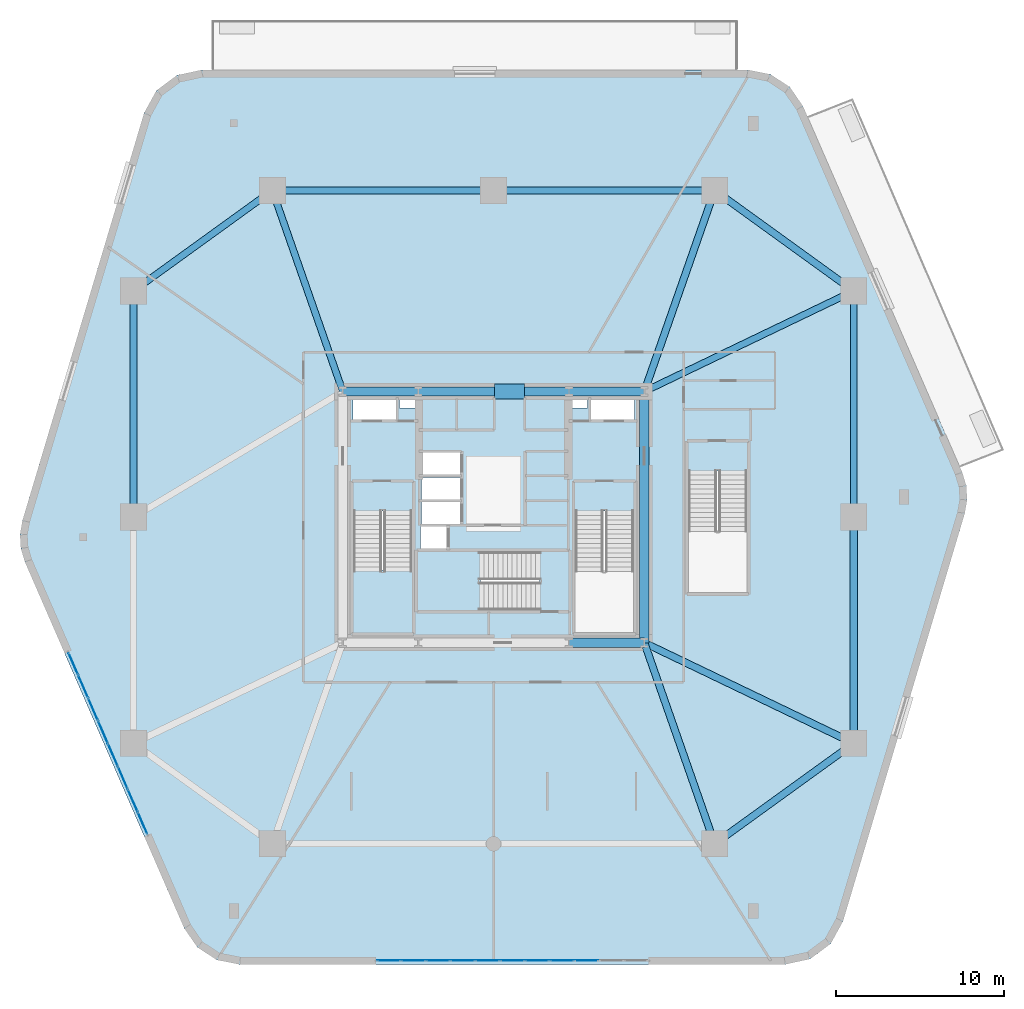
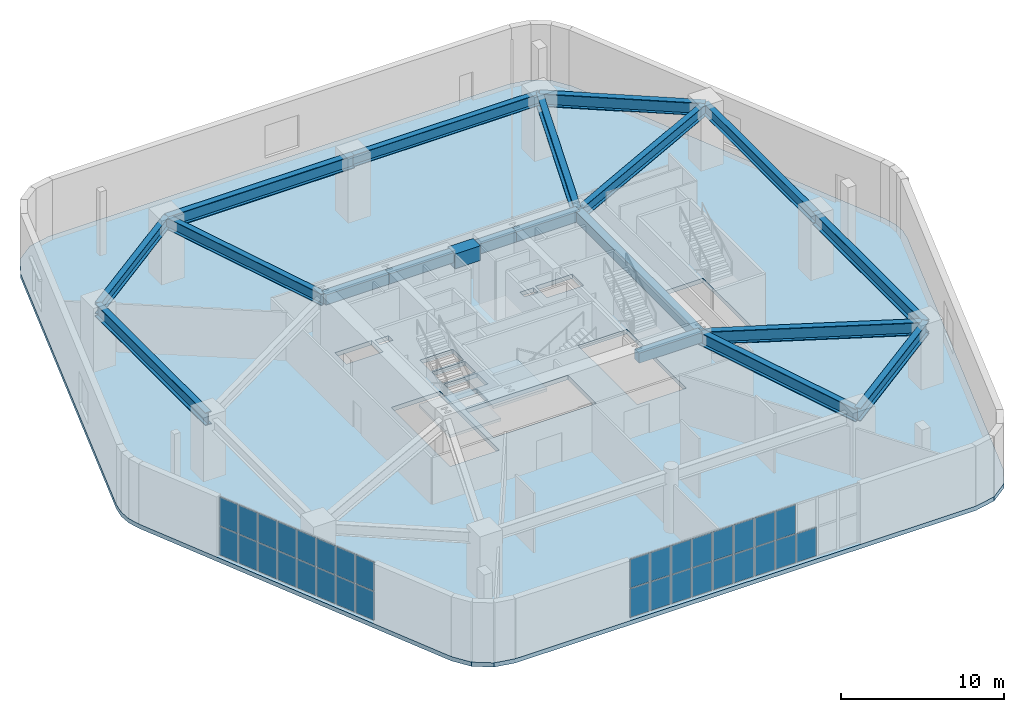
# One storey, part 10 of 17: 33 plates, 19 beams, 3 slabs, 4 elements without a shape of their own.
"""IFC4 building model written with IfcOpenShell, lengths in metres."""

from ifc_helpers import new_model, si_unit, direction, frame, origin, origin_2d, place, context, subcontext, project, spatial, polyline, rectangle, i_section, outline, extrude, material, layer, layer_set, material_profile, profile_set, type_object, element, aggregate, save


model = new_model("IFC4")

# Units and contexts
model_context = context("Model", 3, precision=1e-05, world=origin(), true_north=direction((0.0, 1.0)))
body_context = subcontext(model_context, "Body", "Model", "MODEL_VIEW")
ifc_project = project(units=[si_unit("LENGTHUNIT", "METRE"), si_unit("AREAUNIT", "SQUARE_METRE"), si_unit("VOLUMEUNIT", "CUBIC_METRE"), si_unit("PLANEANGLEUNIT", "RADIAN"), si_unit("MASSUNIT", "GRAM", prefix="KILO")], contexts=[model_context])

# Site, building, storey
site_placement = place(None, origin())
site = spatial("IfcSite", under=ifc_project, at=site_placement, CompositionType="ELEMENT")
building_placement = place(site_placement, origin())
building = spatial("IfcBuilding", under=site, at=building_placement, Name="Kilnhurst Terrace Hotel", CompositionType="ELEMENT")
storey_placement = place(building_placement, frame((0.0, 0.0, 18.60009765625)))
storey = spatial("IfcBuildingStorey", under=building, at=storey_placement, Name="L03", CompositionType="ELEMENT", Elevation=18.60009765625)

# Beams
ifc_material_1 = material(Name="Concrete C50/60", Category="concrete")
ifc_material_profile_1 = material_profile(ifc_material_1, rectangle(XDim=0.550048828125, YDim=0.75, at=origin_2d()), Name="RC550X750")
ifc_profile_set_1 = profile_set([ifc_material_profile_1], Name="Concrete C50/60")
beam_type_1 = type_object("IfcBeamType", Name="BM-SPN-550X750", PredefinedType="SPANDREL", material=ifc_profile_set_1)
beam_1_placement = place(storey_placement, frame((-9.0, 7.5, 4.10498046875), z_axis=(1.0, 0.0, 0.0), x_axis=(0.0, 1.0, 0.0)))
element("IfcBeam", 1, at=beam_1_placement, inside=storey, type_object=beam_type_1, Name="L03 Core Tie Beam CC-NW to CC-NC1", PredefinedType="SPANDREL", context=body_context, shape_type="SweptSolid", body=[
    extrude(rectangle(XDim=0.550048828125, YDim=0.75, at=origin_2d()), origin(), (0.0, 0.0, 1.0), 4.5),
])
beam_2_placement = place(storey_placement, frame((-4.5, 7.5, 4.10498046875), z_axis=(1.0, 0.0, 0.0), x_axis=(0.0, 1.0, 0.0)))
element("IfcBeam", 2, at=beam_2_placement, inside=storey, type_object=beam_type_1, Name="L03 Core Tie Beam CC-NC1 to CC-NC2", PredefinedType="SPANDREL", context=body_context, shape_type="SweptSolid", body=[
    extrude(rectangle(XDim=0.550048828125, YDim=0.75, at=origin_2d()), origin(), (0.0, 0.0, 1.0), 9.0),
])
for number, where, z_axis, x_axis, name in (
    (3, (4.5, 7.5, 4.10498046875), (1.0, 0.0, 0.0), (0.0, 1.0, 0.0), "L03 Core Tie Beam CC-NC2 to CC-NE"),
    (4, (4.5, -7.5, 4.10498046875), (1.0, 0.0, 0.0), (0.0, 1.0, 0.0), "L03 Core Tie Beam CC-SC2 to CC-SE"),
):
    element("IfcBeam", number, at=place(storey_placement, frame(where, z_axis=z_axis, x_axis=x_axis)), inside=storey, type_object=beam_type_1, Name=name, PredefinedType="SPANDREL", context=body_context, shape_type="SweptSolid", body=[
        extrude(rectangle(XDim=0.550048828125, YDim=0.75, at=origin_2d()), origin(), (0.0, 0.0, 1.0), 4.5),
    ])
beam_3_placement = place(storey_placement, frame((9.0, -7.5, 4.10498046875), z_axis=(0.0, 1.0, 0.0), x_axis=(-1.0, 0.0, 0.0)))
element("IfcBeam", 5, at=beam_3_placement, inside=storey, type_object=beam_type_1, Name="L03 Core Tie Beam CC-SE to CC-NE", PredefinedType="SPANDREL", context=body_context, shape_type="SweptSolid", body=[
    extrude(rectangle(XDim=0.550048828125, YDim=0.75, at=origin_2d()), origin(), (0.0, 0.0, 1.0), 15.0),
])
ifc_material_2 = material(Name="Steel ASTM A992 Grade 50", Category="steel")
ifc_material_profile_2 = material_profile(ifc_material_2, i_section(OverallWidth=0.39990234375, OverallDepth=0.85546875, WebThickness=0.018310546875, FlangeThickness=0.029296875, at=origin_2d()), Name="W33X201")
ifc_profile_set_2 = profile_set([ifc_material_profile_2], Name="Steel ASTM A992 Grade 50")
beam_type_2 = type_object("IfcBeamType", Name="BM-STL-W33X201", PredefinedType="BEAM", material=ifc_profile_set_2)
beam_4_placement = place(storey_placement, frame((-21.5, 13.5, 4.052001953125), z_axis=(0.810423314702, 0.585844732833, 0.0), x_axis=(-0.585844732833, 0.810423314702, 0.0)))
element("IfcBeam", 6, at=beam_4_placement, inside=storey, type_object=beam_type_2, Name="L03 Podium Frame Beam 3", PredefinedType="BEAM", context=body_context, shape_type="SweptSolid", body=[
    extrude(i_section(OverallWidth=0.39990234375, OverallDepth=0.85546875, WebThickness=0.018310546875, FlangeThickness=0.029296875, at=origin_2d()), origin(), (0.0, 0.0, 1.0), 10.24169921875),
])
beam_5_placement = place(storey_placement, frame((0.0, 19.5, 4.052001953125), z_axis=(1.0, 0.0, 0.0), x_axis=(0.0, 1.0, 0.0)))
element("IfcBeam", 7, at=beam_5_placement, inside=storey, type_object=beam_type_2, Name="L03 Podium Frame Beam 5", PredefinedType="BEAM", context=body_context, shape_type="SweptSolid", body=[
    extrude(i_section(OverallWidth=0.39990234375, OverallDepth=0.85546875, WebThickness=0.018310546875, FlangeThickness=0.029296875, at=origin_2d()), origin(), (0.0, 0.0, 1.0), 13.199951171875),
])
beam_6_placement = place(storey_placement, frame((21.5, 13.5, 4.052001953125), z_axis=(0.0, -1.0, 0.0), x_axis=(1.0, 0.0, 0.0)))
element("IfcBeam", 8, at=beam_6_placement, inside=storey, type_object=beam_type_2, Name="L03 Podium Frame Beam 7", PredefinedType="BEAM", context=body_context, shape_type="SweptSolid", body=[
    extrude(i_section(OverallWidth=0.39990234375, OverallDepth=0.85546875, WebThickness=0.018310546875, FlangeThickness=0.029296875, at=origin_2d()), origin(), (0.0, 0.0, 1.0), 13.5),
])
beam_7_placement = place(storey_placement, frame((21.5, 13.5, 4.052001953125), z_axis=(-0.901523057468, -0.432731067585, 0.0), x_axis=(0.432731067585, -0.901523057468, 0.0)))
element("IfcBeam", 9, at=beam_7_placement, inside=storey, type_object=beam_type_2, Name="L03 Podium Frame Beam 11", PredefinedType="BEAM", context=body_context, shape_type="SweptSolid", body=[
    extrude(i_section(OverallWidth=0.39990234375, OverallDepth=0.85546875, WebThickness=0.018310546875, FlangeThickness=0.029296875, at=origin_2d()), origin(), (0.0, 0.0, 1.0), 13.865478515625),
])
beam_8_placement = place(storey_placement, frame((-13.199951171875, 19.5, 4.052001953125), z_axis=(0.330347003279, -0.943859553866, 0.0), x_axis=(0.943859553866, 0.330347003279, 0.0)))
element("IfcBeam", 10, at=beam_8_placement, inside=storey, type_object=beam_type_2, Name="L03 Podium Frame Beam 13", PredefinedType="BEAM", context=body_context, shape_type="SweptSolid", body=[
    extrude(i_section(OverallWidth=0.39990234375, OverallDepth=0.85546875, WebThickness=0.018310546875, FlangeThickness=0.029296875, at=origin_2d()), origin(), (0.0, 0.0, 1.0), 12.7138671875),
])
ifc_material_profile_3 = material_profile(ifc_material_2, i_section(OverallWidth=0.423095703125, OverallDepth=0.9482421875, WebThickness=0.02392578125, FlangeThickness=0.042724609375, at=origin_2d()), Name="W36X302")
ifc_profile_set_3 = profile_set([ifc_material_profile_3], Name="Steel ASTM A992 Grade 50")
beam_type_3 = type_object("IfcBeamType", Name="BM-STL-W36X302", PredefinedType="BEAM", material=ifc_profile_set_3)
beam_9_placement = place(storey_placement, frame((-21.5, 0.0, 4.005859375), z_axis=(0.0, 1.0, 0.0), x_axis=(-1.0, 0.0, 0.0)))
element("IfcBeam", 11, at=beam_9_placement, inside=storey, type_object=beam_type_3, Name="L03 Podium Frame Beam 2", PredefinedType="BEAM", context=body_context, shape_type="SweptSolid", body=[
    extrude(i_section(OverallWidth=0.423095703125, OverallDepth=0.9482421875, WebThickness=0.02392578125, FlangeThickness=0.042724609375, at=origin_2d()), origin(), (0.0, 0.0, 1.0), 13.5),
])
beam_10_placement = place(storey_placement, frame((-13.199951171875, 19.5, 4.005859375), z_axis=(1.0, 0.0, 0.0), x_axis=(0.0, 1.0, 0.0)))
element("IfcBeam", 12, at=beam_10_placement, inside=storey, type_object=beam_type_3, Name="L03 Podium Frame Beam 4", PredefinedType="BEAM", context=body_context, shape_type="SweptSolid", body=[
    extrude(i_section(OverallWidth=0.423095703125, OverallDepth=0.9482421875, WebThickness=0.02392578125, FlangeThickness=0.042724609375, at=origin_2d()), origin(), (0.0, 0.0, 1.0), 13.199951171875),
])
beam_11_placement = place(storey_placement, frame((13.199951171875, 19.5, 4.005859375), z_axis=(0.810423314702, -0.585844732833, 0.0), x_axis=(0.585844732833, 0.810423314702, 0.0)))
element("IfcBeam", 13, at=beam_11_placement, inside=storey, type_object=beam_type_3, Name="L03 Podium Frame Beam 6", PredefinedType="BEAM", context=body_context, shape_type="SweptSolid", body=[
    extrude(i_section(OverallWidth=0.423095703125, OverallDepth=0.9482421875, WebThickness=0.02392578125, FlangeThickness=0.042724609375, at=origin_2d()), origin(), (0.0, 0.0, 1.0), 10.24169921875),
])
beam_12_placement = place(storey_placement, frame((21.5, 0.0, 4.005859375), z_axis=(0.0, -1.0, 0.0), x_axis=(1.0, 0.0, 0.0)))
element("IfcBeam", 14, at=beam_12_placement, inside=storey, type_object=beam_type_3, Name="L03 Podium Frame Beam 8", PredefinedType="BEAM", context=body_context, shape_type="SweptSolid", body=[
    extrude(i_section(OverallWidth=0.423095703125, OverallDepth=0.9482421875, WebThickness=0.02392578125, FlangeThickness=0.042724609375, at=origin_2d()), origin(), (0.0, 0.0, 1.0), 13.5),
])
beam_13_placement = place(storey_placement, frame((21.5, -13.5, 4.005859375), z_axis=(-0.901523057468, 0.432731067585, 0.0), x_axis=(-0.432731067585, -0.901523057468, 0.0)))
element("IfcBeam", 15, at=beam_13_placement, inside=storey, type_object=beam_type_3, Name="L03 Podium Frame Beam 12", PredefinedType="BEAM", context=body_context, shape_type="SweptSolid", body=[
    extrude(i_section(OverallWidth=0.423095703125, OverallDepth=0.9482421875, WebThickness=0.02392578125, FlangeThickness=0.042724609375, at=origin_2d()), origin(), (0.0, 0.0, 1.0), 13.865478515625),
])
for number, where, z_axis, x_axis, name in (
    (16, (13.199951171875, 19.5, 4.005859375), (-0.330347003279, -0.943859553866, 0.0), (0.943859553866, -0.330347003279, 0.0), "L03 Podium Frame Beam 14"),
    (17, (13.199951171875, -19.5, 4.005859375), (-0.330347003279, 0.943859553866, 0.0), (-0.943859553866, -0.330347003279, 0.0), "L03 Podium Frame Beam 16"),
):
    element("IfcBeam", number, at=place(storey_placement, frame(where, z_axis=z_axis, x_axis=x_axis)), inside=storey, type_object=beam_type_3, Name=name, PredefinedType="BEAM", context=body_context, shape_type="SweptSolid", body=[
        extrude(i_section(OverallWidth=0.423095703125, OverallDepth=0.9482421875, WebThickness=0.02392578125, FlangeThickness=0.042724609375, at=origin_2d()), origin(), (0.0, 0.0, 1.0), 12.7138671875),
    ])
beam_14_placement = place(storey_placement, frame((21.5, -13.5, 4.005859375), z_axis=(-0.810423314702, -0.585844732833, 0.0), x_axis=(0.585844732833, -0.810423314702, 0.0)))
element("IfcBeam", 18, at=beam_14_placement, inside=storey, type_object=beam_type_3, Name="L03 Podium Frame Beam 18", PredefinedType="BEAM", context=body_context, shape_type="SweptSolid", body=[
    extrude(i_section(OverallWidth=0.423095703125, OverallDepth=0.9482421875, WebThickness=0.02392578125, FlangeThickness=0.042724609375, at=origin_2d()), origin(), (0.0, 0.0, 1.0), 10.24169921875),
])
ifc_material_3 = material(Name="Concrete C80/95", Category="concrete")
ifc_material_profile_4 = material_profile(ifc_material_3, rectangle(XDim=0.89990234375, YDim=1.10009765625, at=origin_2d()), Name="RC900X1100")
ifc_profile_set_4 = profile_set([ifc_material_profile_4], Name="Concrete C80/95")
beam_type_4 = type_object("IfcBeamType", Name="LNT-CB-900X1100", PredefinedType="LINTEL", material=ifc_profile_set_4)
beam_15_placement = place(storey_placement, frame((0.050048828125, 7.5, 3.929931640625), z_axis=(1.0, 0.0, 0.0), x_axis=(0.0, 1.0, 0.0)))
element("IfcBeam", 19, at=beam_15_placement, inside=storey, type_object=beam_type_4, Name="L03 North Core Coupling Link Beam", PredefinedType="LINTEL", context=body_context, shape_type="SweptSolid", body=[
    extrude(rectangle(XDim=0.89990234375, YDim=1.10009765625, at=origin_2d()), origin(), (0.0, 0.0, 1.0), 1.800048828125),
])

# Curtain wall, plates
ifc_material_4 = material(Name="Anodized Aluminium Alloy 6063-T6 and Low-E Glass", Category="aluminium")
ifc_layer_1 = layer(ifc_material_4, 0.219970703125, Name="Anodized Aluminium Alloy 6063-T6 and Low-E Glass")
ifc_layer_set_1 = layer_set([ifc_layer_1], Name="Anodized Aluminium Alloy 6063-T6 and Low-E Glass")
curtain_wall_type = type_object("IfcCurtainWallType", Name="CW-POD-TERR", PredefinedType="NOTDEFINED", material=ifc_layer_set_1)
curtain_wall_1_placement = place(storey_placement, origin())
curtain_wall_1 = element("IfcCurtainWall", 20, at=curtain_wall_1_placement, inside=storey, type_object=curtain_wall_type, Name="L03 Curtain Wall CW-L03-F1-1", PredefinedType="NOTDEFINED")
ifc_material_5 = material(Name="Triple Laminated Low-E Hurricane Insulated Glass", Category="glass")
ifc_layer_2 = layer(ifc_material_5, 0.031982421875, Name="Triple Laminated Low-E Hurricane Insulated Glass")
ifc_layer_set_2 = layer_set([ifc_layer_2], Name="Triple Laminated Low-E Hurricane Insulated Glass")
plate_type = type_object("IfcPlateType", Name="PNL-GLZ-32", PredefinedType="CURTAIN_PANEL", material=ifc_layer_set_2)
plate_1_placement = place(storey_placement, frame((-6.255615234375, -26.47509765625, 0.06982421875), z_axis=(0.0, 0.0, 1.0), x_axis=(1.0, 0.0, 0.0)))
plate_1 = element("IfcPlate", 21, at=plate_1_placement, type_object=plate_type, Name="CWT-2 panel 1.1", PredefinedType="CURTAIN_PANEL", context=body_context, shape_type="SweptSolid", body=[
    extrude(rectangle(XDim=1.373779296875, YDim=0.031982421875, at=origin_2d()), origin(), (0.0, 0.0, 1.0), 2.135009765625),
])
plate_2_placement = place(storey_placement, frame((-6.255615234375, -26.47509765625, 2.27490234375), z_axis=(0.0, 0.0, 1.0), x_axis=(1.0, 0.0, 0.0)))
plate_2 = element("IfcPlate", 22, at=plate_2_placement, type_object=plate_type, Name="CWT-2 panel 1.2", PredefinedType="CURTAIN_PANEL", context=body_context, shape_type="SweptSolid", body=[
    extrude(rectangle(XDim=1.373779296875, YDim=0.031982421875, at=origin_2d()), origin(), (0.0, 0.0, 1.0), 2.135009765625),
])
plate_3_placement = place(storey_placement, frame((-4.79443359375, -26.47509765625, 0.06982421875), z_axis=(0.0, 0.0, 1.0), x_axis=(1.0, 0.0, 0.0)))
plate_3 = element("IfcPlate", 23, at=plate_3_placement, type_object=plate_type, Name="CWT-2 panel 2.1", PredefinedType="CURTAIN_PANEL", context=body_context, shape_type="SweptSolid", body=[
    extrude(rectangle(XDim=1.40869140625, YDim=0.031982421875, at=origin_2d()), origin(), (0.0, 0.0, 1.0), 2.135009765625),
])
plate_4_placement = place(storey_placement, frame((-4.79443359375, -26.47509765625, 2.27490234375), z_axis=(0.0, 0.0, 1.0), x_axis=(1.0, 0.0, 0.0)))
plate_4 = element("IfcPlate", 24, at=plate_4_placement, type_object=plate_type, Name="CWT-2 panel 2.2", PredefinedType="CURTAIN_PANEL", context=body_context, shape_type="SweptSolid", body=[
    extrude(rectangle(XDim=1.40869140625, YDim=0.031982421875, at=origin_2d()), origin(), (0.0, 0.0, 1.0), 2.135009765625),
])
plate_5_placement = place(storey_placement, frame((-3.315673828125, -26.47509765625, 0.06982421875), z_axis=(0.0, 0.0, 1.0), x_axis=(1.0, 0.0, 0.0)))
plate_5 = element("IfcPlate", 25, at=plate_5_placement, type_object=plate_type, Name="CWT-2 panel 3.1", PredefinedType="CURTAIN_PANEL", context=body_context, shape_type="SweptSolid", body=[
    extrude(rectangle(XDim=1.40869140625, YDim=0.031982421875, at=origin_2d()), origin(), (0.0, 0.0, 1.0), 2.135009765625),
])
plate_6_placement = place(storey_placement, frame((-3.315673828125, -26.47509765625, 2.27490234375), z_axis=(0.0, 0.0, 1.0), x_axis=(1.0, 0.0, 0.0)))
plate_6 = element("IfcPlate", 26, at=plate_6_placement, type_object=plate_type, Name="CWT-2 panel 3.2", PredefinedType="CURTAIN_PANEL", context=body_context, shape_type="SweptSolid", body=[
    extrude(rectangle(XDim=1.40869140625, YDim=0.031982421875, at=origin_2d()), origin(), (0.0, 0.0, 1.0), 2.135009765625),
])
plate_7_placement = place(storey_placement, frame((-1.837158203125, -26.47509765625, 0.06982421875), z_axis=(0.0, 0.0, 1.0), x_axis=(1.0, 0.0, 0.0)))
plate_7 = element("IfcPlate", 27, at=plate_7_placement, type_object=plate_type, Name="CWT-2 panel 4.1", PredefinedType="CURTAIN_PANEL", context=body_context, shape_type="SweptSolid", body=[
    extrude(rectangle(XDim=1.40869140625, YDim=0.031982421875, at=origin_2d()), origin(), (0.0, 0.0, 1.0), 2.135009765625),
])
plate_8_placement = place(storey_placement, frame((-1.837158203125, -26.47509765625, 2.27490234375), z_axis=(0.0, 0.0, 1.0), x_axis=(1.0, 0.0, 0.0)))
plate_8 = element("IfcPlate", 28, at=plate_8_placement, type_object=plate_type, Name="CWT-2 panel 4.2", PredefinedType="CURTAIN_PANEL", context=body_context, shape_type="SweptSolid", body=[
    extrude(rectangle(XDim=1.40869140625, YDim=0.031982421875, at=origin_2d()), origin(), (0.0, 0.0, 1.0), 2.135009765625),
])
plate_9_placement = place(storey_placement, frame((-0.3583984375, -26.47509765625, 0.06982421875), z_axis=(0.0, 0.0, 1.0), x_axis=(1.0, 0.0, 0.0)))
plate_9 = element("IfcPlate", 29, at=plate_9_placement, type_object=plate_type, Name="CWT-2 panel 5.1", PredefinedType="CURTAIN_PANEL", context=body_context, shape_type="SweptSolid", body=[
    extrude(rectangle(XDim=1.40869140625, YDim=0.031982421875, at=origin_2d()), origin(), (0.0, 0.0, 1.0), 2.135009765625),
])
plate_10_placement = place(storey_placement, frame((-0.3583984375, -26.47509765625, 2.27490234375), z_axis=(0.0, 0.0, 1.0), x_axis=(1.0, 0.0, 0.0)))
plate_10 = element("IfcPlate", 30, at=plate_10_placement, type_object=plate_type, Name="CWT-2 panel 5.2", PredefinedType="CURTAIN_PANEL", context=body_context, shape_type="SweptSolid", body=[
    extrude(rectangle(XDim=1.40869140625, YDim=0.031982421875, at=origin_2d()), origin(), (0.0, 0.0, 1.0), 2.135009765625),
])
plate_11_placement = place(storey_placement, frame((1.120361328125, -26.47509765625, 0.06982421875), z_axis=(0.0, 0.0, 1.0), x_axis=(1.0, 0.0, 0.0)))
plate_11 = element("IfcPlate", 31, at=plate_11_placement, type_object=plate_type, Name="CWT-2 panel 6.1", PredefinedType="CURTAIN_PANEL", context=body_context, shape_type="SweptSolid", body=[
    extrude(rectangle(XDim=1.40869140625, YDim=0.031982421875, at=origin_2d()), origin(), (0.0, 0.0, 1.0), 2.135009765625),
])
plate_12_placement = place(storey_placement, frame((1.120361328125, -26.47509765625, 2.27490234375), z_axis=(0.0, 0.0, 1.0), x_axis=(1.0, 0.0, 0.0)))
plate_12 = element("IfcPlate", 32, at=plate_12_placement, type_object=plate_type, Name="CWT-2 panel 6.2", PredefinedType="CURTAIN_PANEL", context=body_context, shape_type="SweptSolid", body=[
    extrude(rectangle(XDim=1.40869140625, YDim=0.031982421875, at=origin_2d()), origin(), (0.0, 0.0, 1.0), 2.135009765625),
])
plate_13_placement = place(storey_placement, frame((2.59912109375, -26.47509765625, 0.06982421875), z_axis=(0.0, 0.0, 1.0), x_axis=(1.0, 0.0, 0.0)))
plate_13 = element("IfcPlate", 33, at=plate_13_placement, type_object=plate_type, Name="CWT-2 panel 7.1", PredefinedType="CURTAIN_PANEL", context=body_context, shape_type="SweptSolid", body=[
    extrude(rectangle(XDim=1.40869140625, YDim=0.031982421875, at=origin_2d()), origin(), (0.0, 0.0, 1.0), 2.135009765625),
])
plate_14_placement = place(storey_placement, frame((2.59912109375, -26.47509765625, 2.27490234375), z_axis=(0.0, 0.0, 1.0), x_axis=(1.0, 0.0, 0.0)))
plate_14 = element("IfcPlate", 34, at=plate_14_placement, type_object=plate_type, Name="CWT-2 panel 7.2", PredefinedType="CURTAIN_PANEL", context=body_context, shape_type="SweptSolid", body=[
    extrude(rectangle(XDim=1.40869140625, YDim=0.031982421875, at=origin_2d()), origin(), (0.0, 0.0, 1.0), 2.135009765625),
])
plate_15_placement = place(storey_placement, frame((4.077880859375, -26.47509765625, 0.06982421875), z_axis=(0.0, 0.0, 1.0), x_axis=(1.0, 0.0, 0.0)))
plate_15 = element("IfcPlate", 35, at=plate_15_placement, type_object=plate_type, Name="CWT-2 panel 8.1", PredefinedType="CURTAIN_PANEL", context=body_context, shape_type="SweptSolid", body=[
    extrude(rectangle(XDim=1.40869140625, YDim=0.031982421875, at=origin_2d()), origin(), (0.0, 0.0, 1.0), 2.135009765625),
])
plate_16_placement = place(storey_placement, frame((4.077880859375, -26.47509765625, 2.27490234375), z_axis=(0.0, 0.0, 1.0), x_axis=(1.0, 0.0, 0.0)))
plate_16 = element("IfcPlate", 36, at=plate_16_placement, type_object=plate_type, Name="CWT-2 panel 8.2", PredefinedType="CURTAIN_PANEL", context=body_context, shape_type="SweptSolid", body=[
    extrude(rectangle(XDim=1.40869140625, YDim=0.031982421875, at=origin_2d()), origin(), (0.0, 0.0, 1.0), 2.135009765625),
])
plate_17_placement = place(storey_placement, frame((5.556640625, -26.47509765625, 0.06982421875), z_axis=(0.0, 0.0, 1.0), x_axis=(1.0, 0.0, 0.0)))
plate_17 = element("IfcPlate", 37, at=plate_17_placement, type_object=plate_type, Name="CWT-2 panel 9.1", PredefinedType="CURTAIN_PANEL", context=body_context, shape_type="SweptSolid", body=[
    extrude(rectangle(XDim=1.40869140625, YDim=0.031982421875, at=origin_2d()), origin(), (0.0, 0.0, 1.0), 2.135009765625),
])
aggregate(curtain_wall_1, [plate_1, plate_2, plate_3, plate_4, plate_5, plate_6, plate_7, plate_8, plate_9, plate_10, plate_11, plate_12, plate_13, plate_14, plate_15, plate_16, plate_17])

curtain_wall_2_placement = place(storey_placement, origin())
curtain_wall_2 = element("IfcCurtainWall", 38, at=curtain_wall_2_placement, inside=storey, type_object=curtain_wall_type, Name="L03 Curtain Wall CW-L03-F6-1", PredefinedType="NOTDEFINED")
plate_18_placement = place(storey_placement, frame((-25.087158203125, -8.751953125, 0.06982421875), z_axis=(0.0, 0.0, 1.0), x_axis=(0.398791242401, -0.917041735683, 0.0)))
plate_18 = element("IfcPlate", 39, at=plate_18_placement, type_object=plate_type, Name="CWT-2 panel 1.1", PredefinedType="CURTAIN_PANEL", context=body_context, shape_type="SweptSolid", body=[
    extrude(rectangle(XDim=1.3828125, YDim=0.031982421875, at=origin_2d()), origin(), (0.0, 0.0, 1.0), 2.135009765625),
])
plate_19_placement = place(storey_placement, frame((-25.087158203125, -8.751953125, 2.27490234375), z_axis=(0.0, 0.0, 1.0), x_axis=(0.398791242401, -0.917041735683, 0.0)))
plate_19 = element("IfcPlate", 40, at=plate_19_placement, type_object=plate_type, Name="CWT-2 panel 1.2", PredefinedType="CURTAIN_PANEL", context=body_context, shape_type="SweptSolid", body=[
    extrude(rectangle(XDim=1.3828125, YDim=0.031982421875, at=origin_2d()), origin(), (0.0, 0.0, 1.0), 2.135009765625),
])
plate_20_placement = place(storey_placement, frame((-24.5009765625, -10.10009765625, 0.06982421875), z_axis=(0.0, 0.0, 1.0), x_axis=(0.398791242401, -0.917041735683, 0.0)))
plate_20 = element("IfcPlate", 41, at=plate_20_placement, type_object=plate_type, Name="CWT-2 panel 2.1", PredefinedType="CURTAIN_PANEL", context=body_context, shape_type="SweptSolid", body=[
    extrude(rectangle(XDim=1.417724609375, YDim=0.031982421875, at=origin_2d()), origin(), (0.0, 0.0, 1.0), 2.135009765625),
])
plate_21_placement = place(storey_placement, frame((-24.5009765625, -10.10009765625, 2.27490234375), z_axis=(0.0, 0.0, 1.0), x_axis=(0.398791242401, -0.917041735683, 0.0)))
plate_21 = element("IfcPlate", 42, at=plate_21_placement, type_object=plate_type, Name="CWT-2 panel 2.2", PredefinedType="CURTAIN_PANEL", context=body_context, shape_type="SweptSolid", body=[
    extrude(rectangle(XDim=1.417724609375, YDim=0.031982421875, at=origin_2d()), origin(), (0.0, 0.0, 1.0), 2.135009765625),
])
plate_22_placement = place(storey_placement, frame((-23.90771484375, -11.464599609375, 0.06982421875), z_axis=(0.0, 0.0, 1.0), x_axis=(0.398791242401, -0.917041735683, 0.0)))
plate_22 = element("IfcPlate", 43, at=plate_22_placement, type_object=plate_type, Name="CWT-2 panel 3.1", PredefinedType="CURTAIN_PANEL", context=body_context, shape_type="SweptSolid", body=[
    extrude(rectangle(XDim=1.417724609375, YDim=0.031982421875, at=origin_2d()), origin(), (0.0, 0.0, 1.0), 2.135009765625),
])
plate_23_placement = place(storey_placement, frame((-23.90771484375, -11.464599609375, 2.27490234375), z_axis=(0.0, 0.0, 1.0), x_axis=(0.398791242401, -0.917041735683, 0.0)))
plate_23 = element("IfcPlate", 44, at=plate_23_placement, type_object=plate_type, Name="CWT-2 panel 3.2", PredefinedType="CURTAIN_PANEL", context=body_context, shape_type="SweptSolid", body=[
    extrude(rectangle(XDim=1.417724609375, YDim=0.031982421875, at=origin_2d()), origin(), (0.0, 0.0, 1.0), 2.135009765625),
])
plate_24_placement = place(storey_placement, frame((-23.314453125, -12.828857421875, 0.06982421875), z_axis=(0.0, 0.0, 1.0), x_axis=(0.398791242401, -0.917041735683, 0.0)))
plate_24 = element("IfcPlate", 45, at=plate_24_placement, type_object=plate_type, Name="CWT-2 panel 4.1", PredefinedType="CURTAIN_PANEL", context=body_context, shape_type="SweptSolid", body=[
    extrude(rectangle(XDim=1.417724609375, YDim=0.031982421875, at=origin_2d()), origin(), (0.0, 0.0, 1.0), 2.135009765625),
])
plate_25_placement = place(storey_placement, frame((-23.314453125, -12.828857421875, 2.27490234375), z_axis=(0.0, 0.0, 1.0), x_axis=(0.398791242401, -0.917041735683, 0.0)))
plate_25 = element("IfcPlate", 46, at=plate_25_placement, type_object=plate_type, Name="CWT-2 panel 4.2", PredefinedType="CURTAIN_PANEL", context=body_context, shape_type="SweptSolid", body=[
    extrude(rectangle(XDim=1.417724609375, YDim=0.031982421875, at=origin_2d()), origin(), (0.0, 0.0, 1.0), 2.135009765625),
])
plate_26_placement = place(storey_placement, frame((-22.720947265625, -14.193115234375, 0.06982421875), z_axis=(0.0, 0.0, 1.0), x_axis=(0.398791242401, -0.917041735683, 0.0)))
plate_26 = element("IfcPlate", 47, at=plate_26_placement, type_object=plate_type, Name="CWT-2 panel 5.1", PredefinedType="CURTAIN_PANEL", context=body_context, shape_type="SweptSolid", body=[
    extrude(rectangle(XDim=1.417724609375, YDim=0.031982421875, at=origin_2d()), origin(), (0.0, 0.0, 1.0), 2.135009765625),
])
plate_27_placement = place(storey_placement, frame((-22.720947265625, -14.193115234375, 2.27490234375), z_axis=(0.0, 0.0, 1.0), x_axis=(0.398791242401, -0.917041735683, 0.0)))
plate_27 = element("IfcPlate", 48, at=plate_27_placement, type_object=plate_type, Name="CWT-2 panel 5.2", PredefinedType="CURTAIN_PANEL", context=body_context, shape_type="SweptSolid", body=[
    extrude(rectangle(XDim=1.417724609375, YDim=0.031982421875, at=origin_2d()), origin(), (0.0, 0.0, 1.0), 2.135009765625),
])
plate_28_placement = place(storey_placement, frame((-22.127685546875, -15.557373046875, 0.06982421875), z_axis=(0.0, 0.0, 1.0), x_axis=(0.398791242401, -0.917041735683, 0.0)))
plate_28 = element("IfcPlate", 49, at=plate_28_placement, type_object=plate_type, Name="CWT-2 panel 6.1", PredefinedType="CURTAIN_PANEL", context=body_context, shape_type="SweptSolid", body=[
    extrude(rectangle(XDim=1.417724609375, YDim=0.031982421875, at=origin_2d()), origin(), (0.0, 0.0, 1.0), 2.135009765625),
])
plate_29_placement = place(storey_placement, frame((-22.127685546875, -15.557373046875, 2.27490234375), z_axis=(0.0, 0.0, 1.0), x_axis=(0.398791242401, -0.917041735683, 0.0)))
plate_29 = element("IfcPlate", 50, at=plate_29_placement, type_object=plate_type, Name="CWT-2 panel 6.2", PredefinedType="CURTAIN_PANEL", context=body_context, shape_type="SweptSolid", body=[
    extrude(rectangle(XDim=1.417724609375, YDim=0.031982421875, at=origin_2d()), origin(), (0.0, 0.0, 1.0), 2.135009765625),
])
plate_30_placement = place(storey_placement, frame((-21.534423828125, -16.921875, 0.06982421875), z_axis=(0.0, 0.0, 1.0), x_axis=(0.398791242401, -0.917041735683, 0.0)))
plate_30 = element("IfcPlate", 51, at=plate_30_placement, type_object=plate_type, Name="CWT-2 panel 7.1", PredefinedType="CURTAIN_PANEL", context=body_context, shape_type="SweptSolid", body=[
    extrude(rectangle(XDim=1.417724609375, YDim=0.031982421875, at=origin_2d()), origin(), (0.0, 0.0, 1.0), 2.135009765625),
])
plate_31_placement = place(storey_placement, frame((-21.534423828125, -16.921875, 2.27490234375), z_axis=(0.0, 0.0, 1.0), x_axis=(0.398791242401, -0.917041735683, 0.0)))
plate_31 = element("IfcPlate", 52, at=plate_31_placement, type_object=plate_type, Name="CWT-2 panel 7.2", PredefinedType="CURTAIN_PANEL", context=body_context, shape_type="SweptSolid", body=[
    extrude(rectangle(XDim=1.417724609375, YDim=0.031982421875, at=origin_2d()), origin(), (0.0, 0.0, 1.0), 2.135009765625),
])
plate_32_placement = place(storey_placement, frame((-20.9482421875, -18.27001953125, 0.06982421875), z_axis=(0.0, 0.0, 1.0), x_axis=(0.398791242401, -0.917041735683, 0.0)))
plate_32 = element("IfcPlate", 53, at=plate_32_placement, type_object=plate_type, Name="CWT-2 panel 8.1", PredefinedType="CURTAIN_PANEL", context=body_context, shape_type="SweptSolid", body=[
    extrude(rectangle(XDim=1.3828125, YDim=0.031982421875, at=origin_2d()), origin(), (0.0, 0.0, 1.0), 2.135009765625),
])
plate_33_placement = place(storey_placement, frame((-20.9482421875, -18.27001953125, 2.27490234375), z_axis=(0.0, 0.0, 1.0), x_axis=(0.398791242401, -0.917041735683, 0.0)))
plate_33 = element("IfcPlate", 54, at=plate_33_placement, type_object=plate_type, Name="CWT-2 panel 8.2", PredefinedType="CURTAIN_PANEL", context=body_context, shape_type="SweptSolid", body=[
    extrude(rectangle(XDim=1.3828125, YDim=0.031982421875, at=origin_2d()), origin(), (0.0, 0.0, 1.0), 2.135009765625),
])
aggregate(curtain_wall_2, [plate_18, plate_19, plate_20, plate_21, plate_22, plate_23, plate_24, plate_25, plate_26, plate_27, plate_28, plate_29, plate_30, plate_31, plate_32, plate_33])

# Slab
ifc_layer_3 = layer(ifc_material_1, 0.320068359375, Name="Concrete C50/60")
ifc_layer_set_3 = layer_set([ifc_layer_3], Name="Concrete C50/60")
slab_type_1 = type_object("IfcSlabType", Name="SLB-FLR-320", PredefinedType="FLOOR", material=ifc_layer_set_3)
slab_1_placement = place(storey_placement, frame((0.0, 0.0, -0.320068359375)))
element("IfcSlab", 55, at=slab_1_placement, inside=storey, type_object=slab_type_1, Name="L03 Structural Floor Slab", PredefinedType="FLOOR", context=body_context, shape_type="SweptSolid", body=[
    extrude(outline(polyline([(-18.46875, -24.53564453125), (-17.68310546875, -25.675048828125), (-16.525634765625, -26.433837890625), (-15.16748046875, -26.699951171875), (17.41015625, -26.699951171875), (18.900634765625, -26.376953125), (20.123779296875, -25.465576171875), (20.859619140625, -24.129638671875), (28.1240234375, 0.208740234375), (28.2685546875, 1.03466796875), (28.21826171875, 1.87158203125), (27.9755859375, 2.674072265625), (18.46875, 24.53564453125), (17.68310546875, 25.675048828125), (16.525634765625, 26.433837890625), (15.16748046875, 26.699951171875), (-17.41015625, 26.699951171875), (-18.900634765625, 26.376953125), (-20.123779296875, 25.465576171875), (-20.859619140625, 24.129638671875), (-28.1240234375, -0.208740234375), (-28.2685546875, -1.03466796875), (-28.21826171875, -1.87158203125), (-27.9755859375, -2.674072265625), (-18.46875, -24.53564453125)]), holes=[polyline([(-8.35009765625, 0.35498046875), (-4.8798828125, 0.35498046875), (-4.8798828125, -6.89990234375), (-8.35009765625, -6.89990234375), (-8.35009765625, 0.35498046875)]), polyline([(-4.35009765625, -1.89990234375), (-4.35009765625, -0.550048828125), (-2.800048828125, -0.550048828125), (-2.800048828125, -1.89990234375), (-4.35009765625, -1.89990234375)]), polyline([(-4.300048828125, -0.429931640625), (-4.300048828125, 0.89990234375), (-1.949951171875, 0.89990234375), (-1.949951171875, -0.429931640625), (-4.300048828125, -0.429931640625)]), polyline([(-1.949951171875, 1.050048828125), (-4.300048828125, 1.050048828125), (-4.300048828125, 2.3798828125), (-1.949951171875, 2.3798828125), (-1.949951171875, 1.050048828125)]), polyline([(-8.39990234375, 5.75), (-8.39990234375, 7.14990234375), (-5.800048828125, 7.14990234375), (-5.800048828125, 5.75), (-8.39990234375, 5.75)]), polyline([(-5.6201171875, 6.52001953125), (-5.6201171875, 7.080078125), (-4.659912109375, 7.080078125), (-4.659912109375, 6.52001953125), (-5.6201171875, 6.52001953125)]), polyline([(2.7548828125, -2.080078125), (2.7548828125, -5.550048828125), (-4.5, -5.550048828125), (-4.5, -2.080078125), (2.7548828125, -2.080078125)]), polyline([(8.35009765625, 0.35498046875), (8.35009765625, -6.89990234375), (4.8798828125, -6.89990234375), (4.8798828125, 0.35498046875), (8.35009765625, 0.35498046875)]), polyline([(15.1201171875, 2.7548828125), (15.1201171875, -4.5), (11.64990234375, -4.5), (11.64990234375, 2.7548828125), (15.1201171875, 2.7548828125)]), polyline([(-1.949951171875, 2.530029296875), (-4.300048828125, 2.530029296875), (-4.300048828125, 3.860107421875), (-1.949951171875, 3.860107421875), (-1.949951171875, 2.530029296875)]), polyline([(5.800048828125, 5.75), (5.800048828125, 7.14990234375), (8.39990234375, 7.14990234375), (8.39990234375, 5.75), (5.800048828125, 5.75)]), polyline([(4.659912109375, 6.52001953125), (4.659912109375, 7.080078125), (5.6201171875, 7.080078125), (5.6201171875, 6.52001953125), (4.659912109375, 6.52001953125)])]), origin(), (0.0, 0.0, 1.0), 0.320068359375),
])

# Stair, slab
stair_type = type_object("IfcStairType", Name="STR-CORE-1660", PredefinedType="HALF_TURN_STAIR", material=ifc_material_1)
stair_1_placement = place(storey_placement, origin())
stair_1 = element("IfcStair", 56, at=stair_1_placement, inside=storey, type_object=stair_type, Name="L03 ST-1", PredefinedType="HALF_TURN_STAIR")
ifc_layer_4 = layer(ifc_material_1, 0.199951171875, Name="Concrete C50/60")
ifc_layer_set_4 = layer_set([ifc_layer_4], Name="Concrete C50/60")
slab_type_2 = type_object("IfcSlabType", Name="SLB-ST-LND-200", PredefinedType="LANDING", material=ifc_layer_set_4)
slab_2_placement = place(storey_placement, frame((0.0, 0.0, 2.199951171875)))
slab_2 = element("IfcSlab", 57, at=slab_2_placement, type_object=slab_type_2, Name="ST-1 landing 1", PredefinedType="LANDING", context=body_context, shape_type="SweptSolid", body=[
    extrude(outline(polyline([(-8.429931640625, -3.169921875), (-4.800048828125, -3.169921875), (-4.800048828125, -6.97998046875), (-8.429931640625, -6.97998046875), (-8.429931640625, -3.169921875)])), origin(), (0.0, 0.0, 1.0), 0.199951171875),
])
aggregate(stair_1, [slab_2])

stair_2_placement = place(storey_placement, origin())
stair_2 = element("IfcStair", 58, at=stair_2_placement, inside=storey, type_object=stair_type, Name="L03 ST-3", PredefinedType="HALF_TURN_STAIR")
slab_3_placement = place(storey_placement, frame((0.0, 0.0, 2.199951171875)))
slab_3 = element("IfcSlab", 59, at=slab_3_placement, type_object=slab_type_2, Name="ST-3 landing 1", PredefinedType="LANDING", context=body_context, shape_type="SweptSolid", body=[
    extrude(outline(polyline([(-0.77001953125, -2.0), (-0.77001953125, -5.6298828125), (-4.580078125, -5.6298828125), (-4.580078125, -2.0), (-0.77001953125, -2.0)])), origin(), (0.0, 0.0, 1.0), 0.199951171875),
])
aggregate(stair_2, [slab_3])

save(model, "model.ifc")
